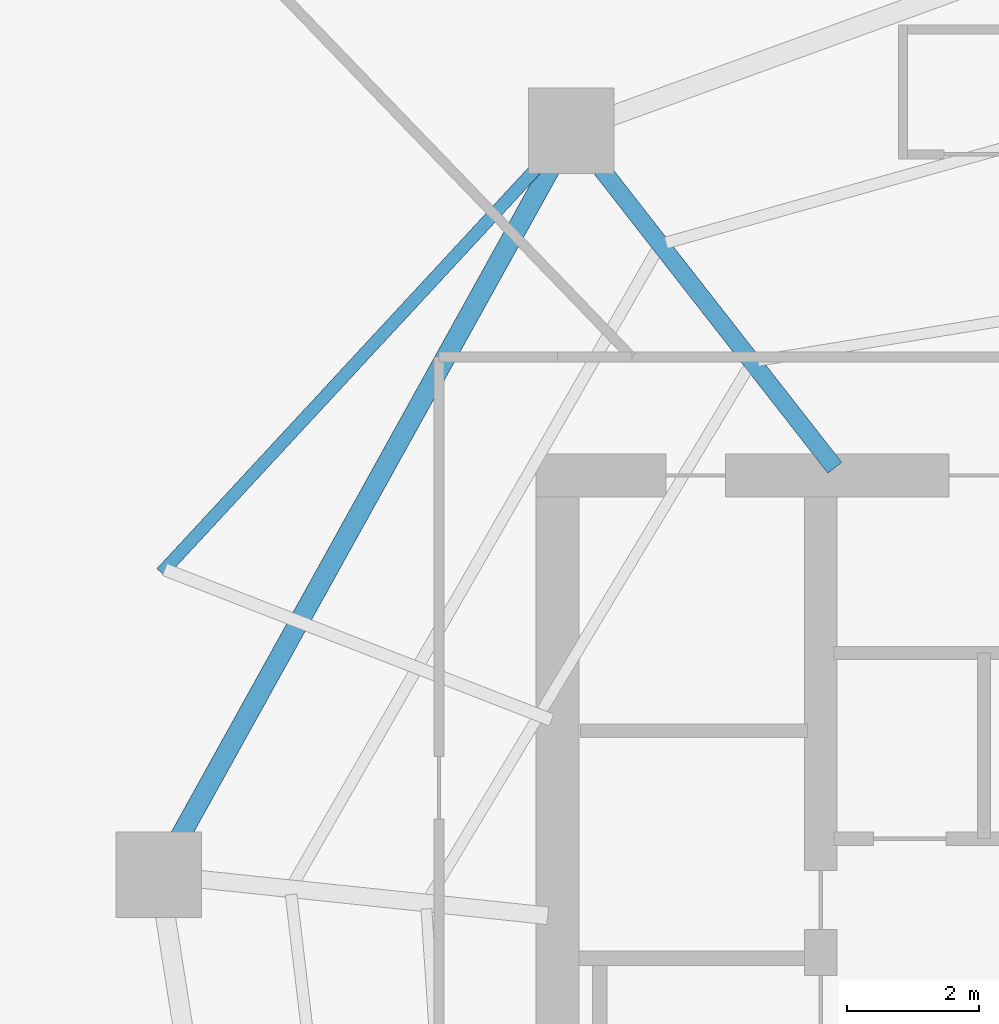
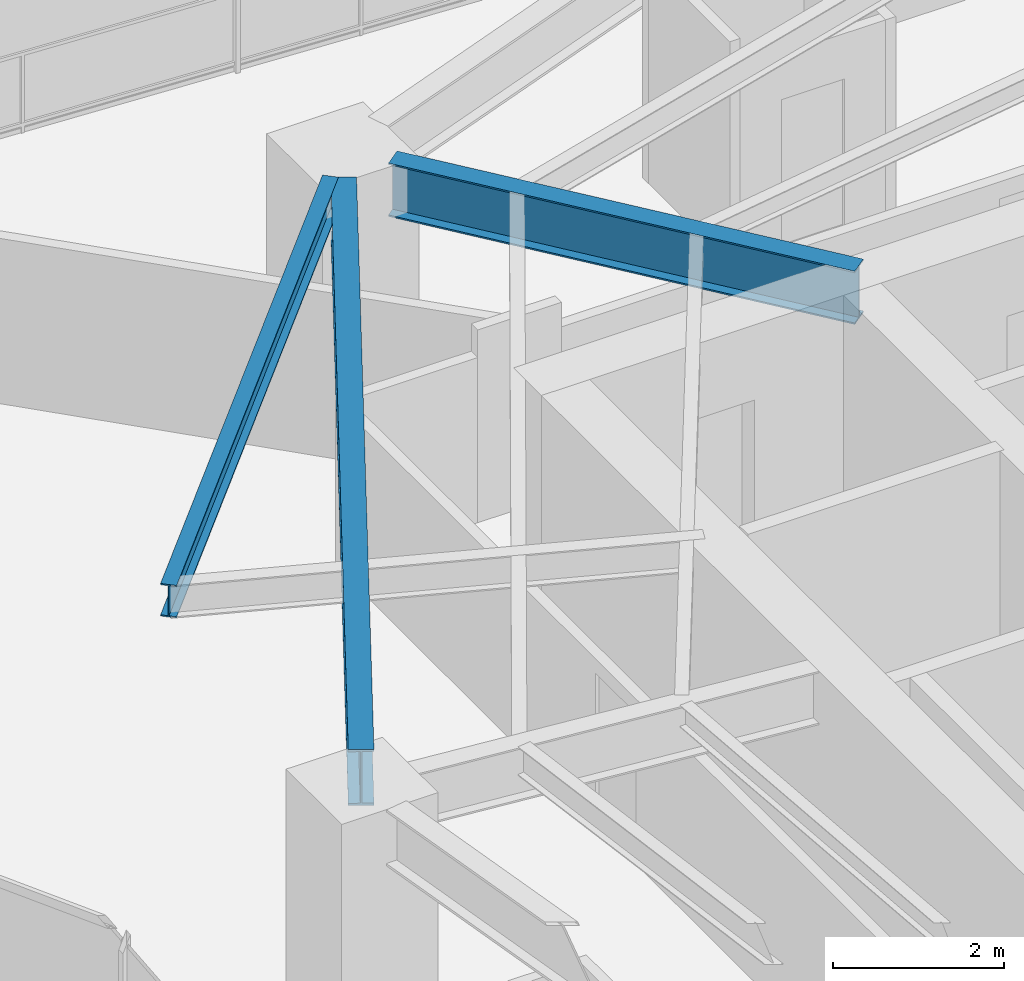
# One storey, part 15 of 28: 3 beams.
"""IFC4 building model written with IfcOpenShell, lengths in metres."""

from ifc_helpers import new_model, si_unit, direction, frame, origin, origin_2d, place, context, subcontext, project, spatial, i_section, extrude, material, material_profile, profile_set, type_object, element, save


model = new_model("IFC4")

# Units and contexts
model_context = context("Model", 3, precision=1e-05, world=origin(), true_north=direction((0.0, 1.0)))
body_context = subcontext(model_context, "Body", "Model", "MODEL_VIEW")
ifc_project = project(units=[si_unit("LENGTHUNIT", "METRE"), si_unit("AREAUNIT", "SQUARE_METRE"), si_unit("VOLUMEUNIT", "CUBIC_METRE"), si_unit("PLANEANGLEUNIT", "RADIAN"), si_unit("MASSUNIT", "GRAM", prefix="KILO")], contexts=[model_context])

# Site, building, storey
site_placement = place(None, origin())
site = spatial("IfcSite", under=ifc_project, at=site_placement, CompositionType="ELEMENT")
building_placement = place(site_placement, origin())
building = spatial("IfcBuilding", under=site, at=building_placement, Name="Qarnah Convention Tower", CompositionType="ELEMENT")
storey_placement = place(building_placement, frame((0.0, 0.0, 54.60009765625)))
storey = spatial("IfcBuildingStorey", under=building, at=storey_placement, Name="L13", CompositionType="ELEMENT", Elevation=54.60009765625)

# Beams
ifc_material = material(Name="Structural steel S355JR", Category="steel")
ifc_material_profile_1 = material_profile(ifc_material, i_section(OverallWidth=0.19189453125, OverallDepth=0.464111328125, WebThickness=0.010986328125, FlangeThickness=0.01806640625, at=origin_2d()), Name="W460X89")
ifc_profile_set_1 = profile_set([ifc_material_profile_1], Name="Structural steel S355JR")
beam_type_1 = type_object("IfcBeamType", Name="BM-CANT-W460A", PredefinedType="BEAM", material=ifc_profile_set_1)
beam_1_placement = place(storey_placement, frame((20.782958984375, 32.719970703125, 2.93798828125), z_axis=(0.679611332191, 0.733572380313, 0.0), x_axis=(-0.733572380313, 0.679611332191, 0.0)))
element("IfcBeam", 1, at=beam_1_placement, inside=storey, type_object=beam_type_1, Name="L13 spandrel BM-L13-CTIE-02", PredefinedType="SPANDREL", context=body_context, shape_type="SweptSolid", body=[
    extrude(i_section(OverallWidth=0.19189453125, OverallDepth=0.464111328125, WebThickness=0.010986328125, FlangeThickness=0.01806640625, at=origin_2d()), origin(), (0.0, 0.0, 1.0), 8.52392578125),
])
ifc_material_profile_2 = material_profile(ifc_material, i_section(OverallWidth=0.26806640625, OverallDepth=0.760009765625, WebThickness=0.014892578125, FlangeThickness=0.02197265625, at=origin_2d()), Name="W760X185")
ifc_profile_set_2 = profile_set([ifc_material_profile_2], Name="Structural steel S355JR")
beam_type_2 = type_object("IfcBeamType", Name="BM-RAD-W760", PredefinedType="BEAM", material=ifc_profile_set_2)
beam_2_placement = place(storey_placement, frame((31.013916015625, 34.318115234375, 2.789794921875), z_axis=(-0.61558272574, 0.78807227319, 0.0), x_axis=(-0.78807227319, -0.61558272574, 0.0)))
element("IfcBeam", 2, at=beam_2_placement, inside=storey, type_object=beam_type_2, Name="L13 beam BM-L13-RAD-04", PredefinedType="BEAM", context=body_context, shape_type="SweptSolid", body=[
    extrude(i_section(OverallWidth=0.26806640625, OverallDepth=0.760009765625, WebThickness=0.014892578125, FlangeThickness=0.02197265625, at=origin_2d()), origin(), (0.0, 0.0, 1.0), 5.87255859375),
])
ifc_material_profile_3 = material_profile(ifc_material, i_section(OverallWidth=0.300048828125, OverallDepth=0.800048828125, WebThickness=0.01806640625, FlangeThickness=0.032958984375, at=origin_2d()), Name="HEB800")
ifc_profile_set_3 = profile_set([ifc_material_profile_3], Name="Structural steel S355JR")
beam_type_3 = type_object("IfcBeamType", Name="BM-RING-HEB800", PredefinedType="BEAM", material=ifc_profile_set_3)
beam_3_placement = place(storey_placement, frame((26.700927734375, 38.882080078125, 2.77001953125), z_axis=(-0.484829813426, -0.874608513572, 0.0), x_axis=(0.874608513572, -0.484829813426, 0.0)))
element("IfcBeam", 3, at=beam_3_placement, inside=storey, type_object=beam_type_3, Name="L13 beam BM-L13-SPN-04", PredefinedType="BEAM", context=body_context, shape_type="SweptSolid", body=[
    extrude(i_section(OverallWidth=0.300048828125, OverallDepth=0.800048828125, WebThickness=0.01806640625, FlangeThickness=0.032958984375, at=origin_2d()), origin(), (0.0, 0.0, 1.0), 11.6533203125),
])

save(model, "model.ifc")
